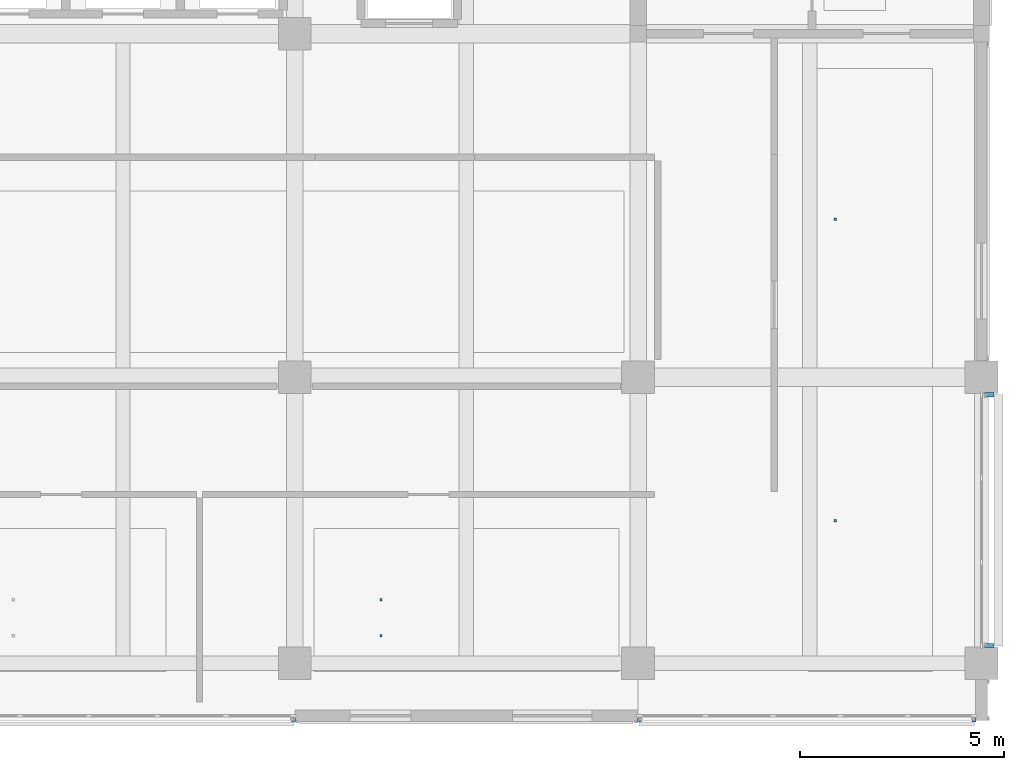
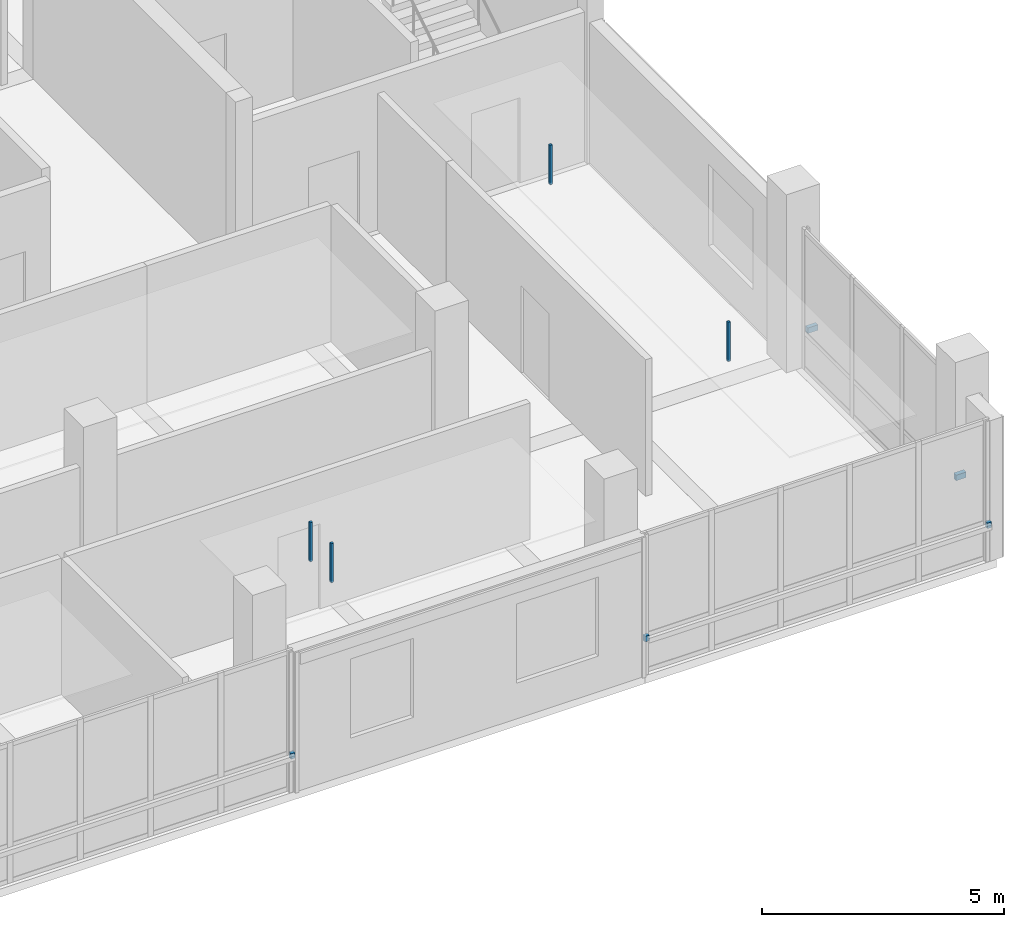
# One storey, part 19 of 34: 9 discrete accessories.
"""IFC4 building model written with IfcOpenShell, lengths in metres."""

from ifc_helpers import new_model, si_unit, direction, frame, origin, origin_2d, place, context, subcontext, project, spatial, rectangle, extrude, material, type_object, element, save


model = new_model("IFC4")

# Units and contexts
model_context = context("Model", 3, precision=1e-05, world=origin(), true_north=direction((0.0, 1.0)))
body_context = subcontext(model_context, "Body", "Model", "MODEL_VIEW")
ifc_project = project(units=[si_unit("LENGTHUNIT", "METRE"), si_unit("AREAUNIT", "SQUARE_METRE"), si_unit("VOLUMEUNIT", "CUBIC_METRE"), si_unit("PLANEANGLEUNIT", "RADIAN"), si_unit("MASSUNIT", "GRAM", prefix="KILO")], contexts=[model_context])

# Site, building, storey
site_placement = place(None, origin())
site = spatial("IfcSite", under=ifc_project, at=site_placement, CompositionType="ELEMENT")
building_placement = place(site_placement, origin())
building = spatial("IfcBuilding", under=site, at=building_placement, Name="Telukmera Botanical Conservatory", CompositionType="ELEMENT")
storey_placement = place(building_placement, frame((0.0, 0.0, 37.5)))
storey = spatial("IfcBuildingStorey", under=building, at=storey_placement, Name="L08", CompositionType="ELEMENT", Elevation=37.5)

# Discrete accessories
ifc_material = material(Name="Steel S355", Category="steel")
discrete_accessory_type_1 = type_object("IfcDiscreteAccessoryType", Name="ACC-CEIL-HGR", PredefinedType="BRACKET", material=ifc_material)
for number, where, z_axis, x_axis, name in (
    (1, (97.220947265625, 14.08740234375, 3.31005859375), (0.0, 0.0, 1.0), (1.0, 0.0, 0.0), "L08 Suspended Ceiling Hanger Rod 028-1"),
    (2, (97.220947265625, 21.46240234375, 3.31005859375), (0.0, 0.0, 1.0), (1.0, 0.0, 0.0), "L08 Suspended Ceiling Hanger Rod 028-2"),
):
    element("IfcDiscreteAccessory", number, at=place(storey_placement, frame(where, z_axis=z_axis, x_axis=x_axis)), inside=storey, type_object=discrete_accessory_type_1, Name=name, PredefinedType="BRACKET", context=body_context, shape_type="SweptSolid", body=[
        extrude(rectangle(XDim=0.06005859375, YDim=0.06005859375, at=origin_2d()), origin(), (0.0, 0.0, 1.0), 0.9951171875),
    ])
for number, where, z_axis, x_axis, name in (
    (3, (86.111083984375, 11.27490234375, 3.31982421875), (0.0, 0.0, 1.0), (1.0, 0.0, 0.0), "L08 Suspended Ceiling Hanger Rod 031-1"),
    (4, (86.111083984375, 12.14990234375, 3.31982421875), (0.0, 0.0, 1.0), (1.0, 0.0, 0.0), "L08 Suspended Ceiling Hanger Rod 031-2"),
):
    element("IfcDiscreteAccessory", number, at=place(storey_placement, frame(where, z_axis=z_axis, x_axis=x_axis)), inside=storey, type_object=discrete_accessory_type_1, Name=name, PredefinedType="BRACKET", context=body_context, shape_type="SweptSolid", body=[
        extrude(rectangle(XDim=0.06005859375, YDim=0.06005859375, at=origin_2d()), origin(), (0.0, 0.0, 1.0), 0.985107421875),
    ])
discrete_accessory_type_2 = type_object("IfcDiscreteAccessoryType", Name="Structural Steel Facade Outrigger Fin Bracket", PredefinedType="BRACKET", material=ifc_material)
for number, where, z_axis, x_axis, name in (
    (5, (83.968017578125, 9.205078125, 0.8798828125), (0.0, 0.0, 1.0), (1.0, 0.0, 0.0), "Facade Outrigger Bracket V4:L08:S4 B"),
    (6, (92.431884765625, 9.205078125, 0.8798828125), (0.0, 0.0, 1.0), (1.0, 0.0, 0.0), "Facade Outrigger Bracket V4:L08:S6 A"),
    (7, (100.617919921875, 9.205078125, 0.8798828125), (0.0, 0.0, 1.0), (1.0, 0.0, 0.0), "Facade Outrigger Bracket V4:L08:S6 B"),
):
    element("IfcDiscreteAccessory", number, at=place(storey_placement, frame(where, z_axis=z_axis, x_axis=x_axis)), inside=storey, type_object=discrete_accessory_type_2, Name=name, PredefinedType="BRACKET", context=body_context, shape_type="SweptSolid", body=[
        extrude(rectangle(XDim=0.10009765625, YDim=0.090087890625, at=origin_2d()), origin(), (0.0, 0.0, 1.0), 0.139892578125),
    ])
for number, where, z_axis, x_axis, name in (
    (8, (100.989990234375, 11.031982421875, 0.8798828125), (0.0, 0.0, 1.0), (0.0, 1.0, 0.0), "Facade Outrigger Bracket V4:L08:E1 A"),
    (9, (100.989990234375, 17.16796875, 0.8798828125), (0.0, 0.0, 1.0), (0.0, 1.0, 0.0), "Facade Outrigger Bracket V4:L08:E1 B"),
):
    element("IfcDiscreteAccessory", number, at=place(storey_placement, frame(where, z_axis=z_axis, x_axis=x_axis)), inside=storey, type_object=discrete_accessory_type_2, Name=name, PredefinedType="BRACKET", context=body_context, shape_type="SweptSolid", body=[
        extrude(rectangle(XDim=0.10009765625, YDim=0.239990234375, at=origin_2d()), origin(), (0.0, 0.0, 1.0), 0.139892578125),
    ])

save(model, "model.ifc")
